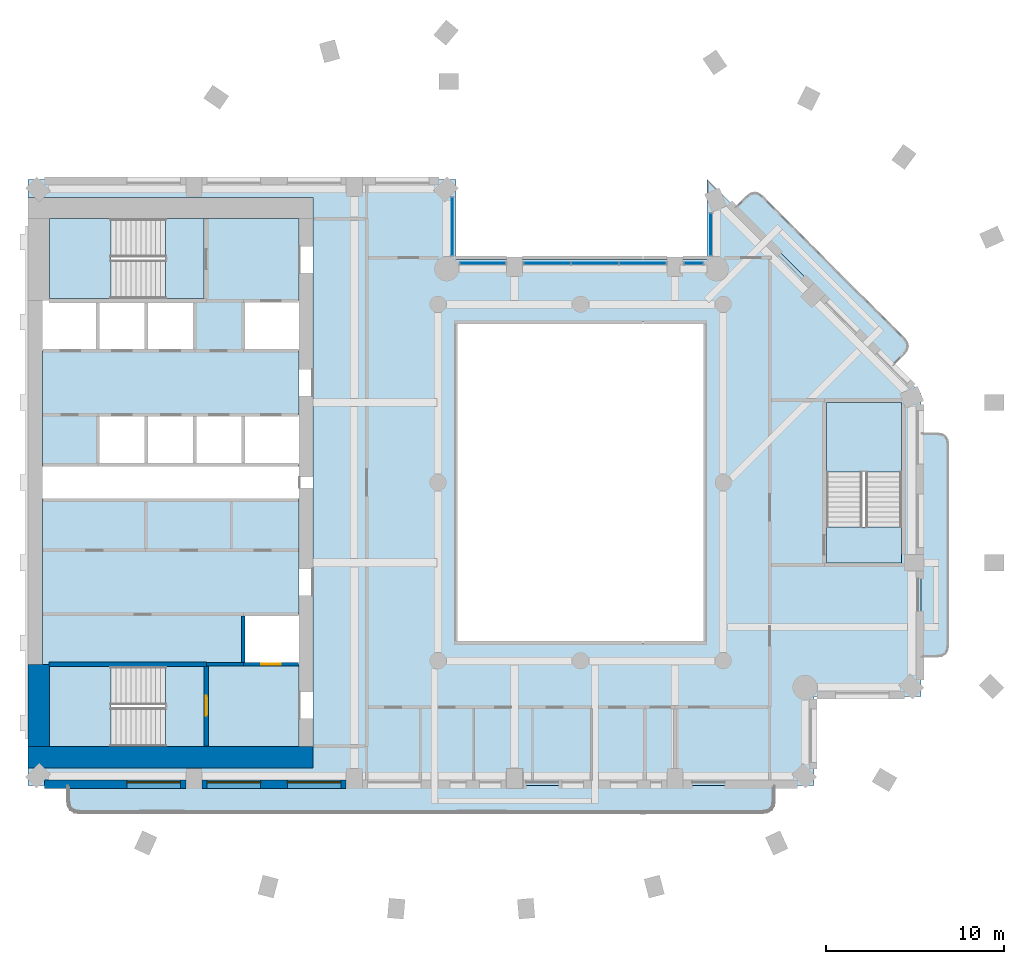
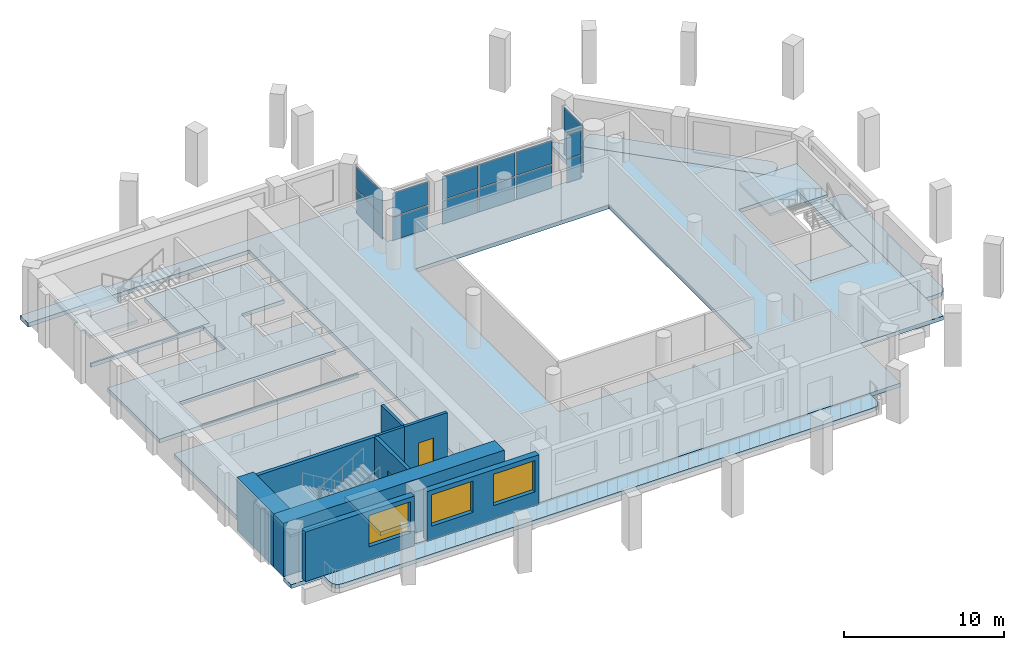
# One storey, part 3 of 14: 14 plates, 12 slabs, 9 walls, 3 windows, 2 doors, 5 openings, 8 elements without a shape of their own.
"""IFC4 building model written with IfcOpenShell, lengths in metres."""

from ifc_helpers import new_model, si_unit, direction, frame, frame_2d, origin, origin_2d, place, context, subcontext, project, spatial, polyline, rectangle, outline, extrude, material, layer, layer_set, type_object, element, fill, aggregate, save


model = new_model("IFC4")

# Units and contexts
model_context = context("Model", 3, precision=1e-05, world=origin(), true_north=direction((0.0, 1.0)))
body_context = subcontext(model_context, "Body", "Model", "MODEL_VIEW")
ifc_project = project(units=[si_unit("LENGTHUNIT", "METRE"), si_unit("AREAUNIT", "SQUARE_METRE"), si_unit("VOLUMEUNIT", "CUBIC_METRE"), si_unit("PLANEANGLEUNIT", "RADIAN"), si_unit("MASSUNIT", "GRAM", prefix="KILO")], contexts=[model_context])

# Site, building, storey
site_placement = place(None, origin())
site = spatial("IfcSite", under=ifc_project, at=site_placement, CompositionType="ELEMENT")
building_placement = place(site_placement, origin())
building = spatial("IfcBuilding", under=site, at=building_placement, Name="Cypress Arch Tower", CompositionType="ELEMENT")
storey_placement = place(building_placement, frame((0.0, 0.0, 201.5)))
storey = spatial("IfcBuildingStorey", under=building, at=storey_placement, Name="L44", CompositionType="ELEMENT", Elevation=201.5)

# Slabs
ifc_material_1 = material(Name="Concrete C40/50", Category="concrete")
ifc_layer_1 = layer(ifc_material_1, 0.300048828125)
ifc_layer_set_1 = layer_set([ifc_layer_1], Name="Balcony slab BS300")
slab_type_1 = type_object("IfcSlabType", Name="Balcony slab BS300", PredefinedType="USERDEFINED", material=ifc_layer_set_1)
slab_1_placement = place(storey_placement, frame((0.0, 0.0, -0.300048828125)))
element("IfcSlab", 1, at=slab_1_placement, inside=storey, type_object=slab_type_1, Name="Balcony slab L44-B01", ObjectType="BALCONY SLAB", PredefinedType="USERDEFINED", context=body_context, shape_type="SweptSolid", body=[
    extrude(outline(polyline([(-27.75, -17.0), (-27.75, -17.850341796875), (-27.708740234375, -18.138916015625), (-27.5849609375, -18.3447265625), (-27.378662109375, -18.468017578125), (-27.090087890625, -18.508544921875), (-26.283447265625, -18.506103515625), (-24.816650390625, -18.50244140625), (-23.35009765625, -18.500244140625), (-21.88330078125, -18.500244140625), (-20.416748046875, -18.501953125), (-18.949951171875, -18.505615234375), (-17.4833984375, -18.509765625), (-16.0166015625, -18.513427734375), (-14.550048828125, -18.515869140625), (-13.083251953125, -18.516357421875), (-11.61669921875, -18.5146484375), (-10.14990234375, -18.511474609375), (-8.683349609375, -18.50732421875), (-7.216552734375, -18.50341796875), (-5.75, -18.500732421875), (-4.283447265625, -18.5), (-2.816650390625, -18.50146484375), (-1.35009765625, -18.50439453125), (0.11669921875, -18.508544921875), (1.583251953125, -18.512451171875), (3.050048828125, -18.515380859375), (4.5166015625, -18.516357421875), (5.9833984375, -18.515380859375), (7.449951171875, -18.512451171875), (8.916748046875, -18.50830078125), (10.38330078125, -18.50439453125), (11.18994140625, -18.502685546875), (11.478759765625, -18.4609375), (11.68505859375, -18.336669921875), (11.808837890625, -18.130126953125), (11.85009765625, -17.84130859375), (11.85009765625, -17.0), (-27.75, -17.0)])), origin(), (0.0, 0.0, 1.0), 0.300048828125),
])
slab_2_placement = place(storey_placement, frame((0.0, 0.0, -0.300048828125)))
element("IfcSlab", 2, at=slab_2_placement, inside=storey, type_object=slab_type_1, Name="Balcony slab L44-B04", ObjectType="BALCONY SLAB", PredefinedType="USERDEFINED", context=body_context, shape_type="SweptSolid", body=[
    extrude(outline(polyline([(20.10009765625, -9.75), (20.9853515625, -9.75), (21.258544921875, -9.7109375), (21.45361328125, -9.59375), (21.5703125, -9.3984375), (21.608642578125, -9.125), (21.6064453125, -8.361083984375), (21.602783203125, -6.97216796875), (21.6005859375, -5.583251953125), (21.60009765625, -4.1943359375), (21.601318359375, -2.8056640625), (21.604248046875, -1.416748046875), (21.608154296875, -0.02783203125), (21.61181640625, 1.361083984375), (21.613525390625, 2.125), (21.5751953125, 2.3984375), (21.458251953125, 2.59375), (21.26318359375, 2.7109375), (20.989990234375, 2.75), (20.10009765625, 2.75), (20.10009765625, -9.75)])), origin(), (0.0, 0.0, 1.0), 0.300048828125),
])
slab_3_placement = place(storey_placement, frame((0.0, 0.0, -0.300048828125)))
element("IfcSlab", 3, at=slab_3_placement, inside=storey, type_object=slab_type_1, Name="Balcony slab L44-B05", ObjectType="BALCONY SLAB", PredefinedType="USERDEFINED", context=body_context, shape_type="SweptSolid", body=[
    extrude(outline(polyline([(18.509033203125, 6.591064453125), (19.135986328125, 7.218017578125), (19.30126953125, 7.4384765625), (19.356201171875, 7.65869140625), (19.30078125, 7.878662109375), (19.134765625, 8.0986328125), (18.594482421875, 8.635986328125), (17.612060546875, 9.61328125), (16.630859375, 10.59130859375), (15.650634765625, 11.57080078125), (14.671630859375, 12.551513671875), (13.694091796875, 13.533447265625), (12.716796875, 14.515869140625), (11.73974609375, 15.498291015625), (11.2021484375, 16.038330078125), (10.982177734375, 16.2041015625), (10.761962890625, 16.259521484375), (10.541748046875, 16.20458984375), (10.3212890625, 16.039306640625), (9.69091796875, 15.408935546875), (18.509033203125, 6.591064453125)])), origin(), (0.0, 0.0, 1.0), 0.300048828125),
])
ifc_material_2 = material(Name="Concrete C40/50", Category="concrete")
ifc_layer_2 = layer(ifc_material_2, 0.300048828125)
ifc_layer_set_2 = layer_set([ifc_layer_2], Name="Core floor CF300")
slab_type_2 = type_object("IfcSlabType", Name="Core floor CF300", PredefinedType="FLOOR", material=ifc_layer_set_2)
slab_4_placement = place(storey_placement, frame((0.0, 0.0, -0.300048828125)))
element("IfcSlab", 4, at=slab_4_placement, inside=storey, type_object=slab_type_2, Name="Core floor", PredefinedType="FLOOR", context=body_context, shape_type="SweptSolid", body=[
    extrude(outline(polyline([(-28.800048828125, -10.199951171875), (-29.199951171875, -10.199951171875), (-29.199951171875, -0.89990234375), (-15.199951171875, -0.89990234375), (-14.800048828125, -0.89990234375), (-14.800048828125, -7.39990234375), (-15.199951171875, -7.39990234375), (-17.919921875, -7.39990234375), (-17.919921875, -10.199951171875), (-15.199951171875, -10.199951171875), (-14.800048828125, -10.199951171875), (-14.800048828125, -14.800048828125), (-15.199951171875, -14.800048828125), (-20.125, -14.800048828125), (-20.125, -10.324951171875), (-22.27490234375, -10.324951171875), (-28.800048828125, -10.324951171875), (-28.800048828125, -10.199951171875)])), origin(), (0.0, 0.0, 1.0), 0.300048828125),
])
slab_5_placement = place(storey_placement, frame((0.0, 0.0, -0.300048828125)))
element("IfcSlab", 5, at=slab_5_placement, inside=storey, type_object=slab_type_2, Name="Core floor", PredefinedType="FLOOR", context=body_context, shape_type="SweptSolid", body=[
    extrude(outline(polyline([(-22.27490234375, -10.324951171875), (-22.27490234375, -14.800048828125), (-20.125, -14.800048828125), (-20.125, -10.324951171875), (-22.27490234375, -10.324951171875)])), origin(), (0.0, 0.0, 1.0), 0.300048828125),
])
slab_6_placement = place(storey_placement, frame((0.0, 0.0, -0.300048828125)))
element("IfcSlab", 6, at=slab_6_placement, inside=storey, type_object=slab_type_2, Name="Core floor", PredefinedType="FLOOR", context=body_context, shape_type="SweptSolid", body=[
    extrude(outline(polyline([(-20.125, 14.800048828125), (-22.27490234375, 14.800048828125), (-22.27490234375, 10.324951171875), (-20.125, 10.324951171875), (-20.125, 14.800048828125)])), origin(), (0.0, 0.0, 1.0), 0.300048828125),
])
slab_7_placement = place(storey_placement, frame((0.0, 0.0, -0.300048828125)))
element("IfcSlab", 7, at=slab_7_placement, inside=storey, type_object=slab_type_2, Name="Stair floor landing", PredefinedType="FLOOR", context=body_context, shape_type="SweptSolid", body=[
    extrude(outline(polyline([(19.0, -4.5), (19.0, -2.5), (14.800048828125, -2.5), (14.800048828125, -4.5), (19.0, -4.5)])), origin(), (0.0, 0.0, 1.0), 0.300048828125),
])
slab_8_placement = place(storey_placement, frame((0.0, 0.0, -0.300048828125)))
element("IfcSlab", 8, at=slab_8_placement, inside=storey, type_object=slab_type_2, Name="Core floor", PredefinedType="FLOOR", context=body_context, shape_type="SweptSolid", body=[
    extrude(outline(polyline([(-20.639892578125, 7.39990234375), (-20.639892578125, 10.199951171875), (-23.360107421875, 10.199951171875), (-26.080078125, 10.199951171875), (-28.800048828125, 10.199951171875), (-28.800048828125, 10.324951171875), (-22.27490234375, 10.324951171875), (-20.125, 10.324951171875), (-20.125, 14.800048828125), (-15.199951171875, 14.800048828125), (-14.800048828125, 14.800048828125), (-14.800048828125, 10.199951171875), (-15.199951171875, 10.199951171875), (-17.919921875, 10.199951171875), (-17.919921875, 7.39990234375), (-15.199951171875, 7.39990234375), (-14.800048828125, 7.39990234375), (-14.800048828125, 3.800048828125), (-15.199951171875, 3.800048828125), (-17.919921875, 3.800048828125), (-20.639892578125, 3.800048828125), (-23.360107421875, 3.800048828125), (-26.080078125, 3.800048828125), (-26.080078125, 1.5), (-26.080078125, 1.5), (-26.080078125, 1.0), (-25.679931640625, 1.0), (-23.360107421875, 1.0), (-20.639892578125, 1.0), (-17.919921875, 1.0), (-15.199951171875, 1.0), (-14.800048828125, 1.0), (-14.800048828125, 0.89990234375), (-15.199951171875, 0.89990234375), (-25.679931640625, 0.89990234375), (-26.47998046875, 0.89990234375), (-29.199951171875, 0.89990234375), (-29.199951171875, 1.5), (-29.199951171875, 7.39990234375), (-26.080078125, 7.39990234375), (-23.360107421875, 7.39990234375), (-20.639892578125, 7.39990234375)])), origin(), (0.0, 0.0, 1.0), 0.300048828125),
])

# Curtain wall, plates
ifc_material_3 = material(Name="Anodised aluminium, bronze finish, clear laminated double glazing", Category="aluminium")
curtain_wall_type = type_object("IfcCurtainWallType", Name="Curtain wall CW7 slot glazing", PredefinedType="NOTDEFINED", material=ifc_material_3)
curtain_wall_1_placement = place(storey_placement, origin())
curtain_wall_1 = element("IfcCurtainWall", 9, at=curtain_wall_1_placement, inside=storey, type_object=curtain_wall_type, Name="Curtain wall L44 slot B06.0", PredefinedType="NOTDEFINED")
ifc_material_4 = material(Name="Clear laminated double glazing", Category="glass")
ifc_layer_3 = layer(ifc_material_4, 0.0439453125)
ifc_layer_set_3 = layer_set([ifc_layer_3], Name="Glass panel CW7 44")
plate_type = type_object("IfcPlateType", Name="Glass panel CW7 44", PredefinedType="CURTAIN_PANEL", material=ifc_layer_set_3)
plate_1_placement = place(storey_placement, frame((8.300048828125, 13.912353515625, 0.0849609375), z_axis=(0.0, 0.0, 1.0), x_axis=(0.0, -1.0, 0.0)))
plate_1 = element("IfcPlate", 10, at=plate_1_placement, type_object=plate_type, Name="CW7 panel 1.1", PredefinedType="CURTAIN_PANEL", context=body_context, shape_type="SweptSolid", body=[
    extrude(rectangle(XDim=2.345458984375, YDim=0.0439453125, at=origin_2d()), origin(), (0.0, 0.0, 1.0), 1.7724609375),
])
plate_2_placement = place(storey_placement, frame((8.300048828125, 13.912353515625, 1.942626953125), z_axis=(0.0, 0.0, 1.0), x_axis=(0.0, -1.0, 0.0)))
plate_2 = element("IfcPlate", 11, at=plate_2_placement, type_object=plate_type, Name="CW7 panel 1.2", PredefinedType="CURTAIN_PANEL", context=body_context, shape_type="SweptSolid", body=[
    extrude(rectangle(XDim=2.345458984375, YDim=0.0439453125, at=origin_2d()), origin(), (0.0, 0.0, 1.0), 1.7724609375),
])
aggregate(curtain_wall_1, [plate_1, plate_2])

curtain_wall_2_placement = place(storey_placement, origin())
curtain_wall_2 = element("IfcCurtainWall", 12, at=curtain_wall_2_placement, inside=storey, type_object=curtain_wall_type, Name="Curtain wall L44 slot B07.0", PredefinedType="NOTDEFINED")
plate_3_placement = place(storey_placement, frame((7.34765625, 12.300048828125, 0.0849609375), z_axis=(0.0, 0.0, 1.0), x_axis=(-1.0, 0.0, 0.0)))
plate_3 = element("IfcPlate", 13, at=plate_3_placement, type_object=plate_type, Name="CW7 panel 1.1", PredefinedType="CURTAIN_PANEL", context=body_context, shape_type="SweptSolid", body=[
    extrude(rectangle(XDim=1.025390625, YDim=0.0439453125, at=origin_2d()), origin(), (0.0, 0.0, 1.0), 1.7724609375),
])
plate_4_placement = place(storey_placement, frame((7.34765625, 12.300048828125, 1.942626953125), z_axis=(0.0, 0.0, 1.0), x_axis=(-1.0, 0.0, 0.0)))
plate_4 = element("IfcPlate", 14, at=plate_4_placement, type_object=plate_type, Name="CW7 panel 1.2", PredefinedType="CURTAIN_PANEL", context=body_context, shape_type="SweptSolid", body=[
    extrude(rectangle(XDim=1.025390625, YDim=0.0439453125, at=origin_2d()), origin(), (0.0, 0.0, 1.0), 1.7724609375),
])
aggregate(curtain_wall_2, [plate_3, plate_4])

curtain_wall_3_placement = place(storey_placement, origin())
curtain_wall_3 = element("IfcCurtainWall", 15, at=curtain_wall_3_placement, inside=storey, type_object=curtain_wall_type, Name="Curtain wall L44 slot B07.1", PredefinedType="NOTDEFINED")
plate_5_placement = place(storey_placement, frame((4.478759765625, 12.300048828125, 0.0849609375), z_axis=(0.0, 0.0, 1.0), x_axis=(-1.0, 0.0, 0.0)))
plate_5 = element("IfcPlate", 16, at=plate_5_placement, type_object=plate_type, Name="CW7 panel 1.1", PredefinedType="CURTAIN_PANEL", context=body_context, shape_type="SweptSolid", body=[
    extrude(rectangle(XDim=2.572509765625, YDim=0.0439453125, at=origin_2d()), origin(), (0.0, 0.0, 1.0), 1.7724609375),
])
plate_6_placement = place(storey_placement, frame((4.478759765625, 12.300048828125, 1.942626953125), z_axis=(0.0, 0.0, 1.0), x_axis=(-1.0, 0.0, 0.0)))
plate_6 = element("IfcPlate", 17, at=plate_6_placement, type_object=plate_type, Name="CW7 panel 1.2", PredefinedType="CURTAIN_PANEL", context=body_context, shape_type="SweptSolid", body=[
    extrude(rectangle(XDim=2.572509765625, YDim=0.0439453125, at=origin_2d()), origin(), (0.0, 0.0, 1.0), 1.7724609375),
])
plate_7_placement = place(storey_placement, frame((1.800048828125, 12.300048828125, 0.0849609375), z_axis=(0.0, 0.0, 1.0), x_axis=(-1.0, 0.0, 0.0)))
plate_7 = element("IfcPlate", 18, at=plate_7_placement, type_object=plate_type, Name="CW7 panel 2.1", PredefinedType="CURTAIN_PANEL", context=body_context, shape_type="SweptSolid", body=[
    extrude(rectangle(XDim=2.614990234375, YDim=0.0439453125, at=origin_2d()), origin(), (0.0, 0.0, 1.0), 1.7724609375),
])
plate_8_placement = place(storey_placement, frame((1.800048828125, 12.300048828125, 1.942626953125), z_axis=(0.0, 0.0, 1.0), x_axis=(-1.0, 0.0, 0.0)))
plate_8 = element("IfcPlate", 19, at=plate_8_placement, type_object=plate_type, Name="CW7 panel 2.2", PredefinedType="CURTAIN_PANEL", context=body_context, shape_type="SweptSolid", body=[
    extrude(rectangle(XDim=2.614990234375, YDim=0.0439453125, at=origin_2d()), origin(), (0.0, 0.0, 1.0), 1.7724609375),
])
plate_9_placement = place(storey_placement, frame((-0.878662109375, 12.300048828125, 0.0849609375), z_axis=(0.0, 0.0, 1.0), x_axis=(-1.0, 0.0, 0.0)))
plate_9 = element("IfcPlate", 20, at=plate_9_placement, type_object=plate_type, Name="CW7 panel 3.1", PredefinedType="CURTAIN_PANEL", context=body_context, shape_type="SweptSolid", body=[
    extrude(rectangle(XDim=2.572509765625, YDim=0.0439453125, at=origin_2d()), origin(), (0.0, 0.0, 1.0), 1.7724609375),
])
plate_10_placement = place(storey_placement, frame((-0.878662109375, 12.300048828125, 1.942626953125), z_axis=(0.0, 0.0, 1.0), x_axis=(-1.0, 0.0, 0.0)))
plate_10 = element("IfcPlate", 21, at=plate_10_placement, type_object=plate_type, Name="CW7 panel 3.2", PredefinedType="CURTAIN_PANEL", context=body_context, shape_type="SweptSolid", body=[
    extrude(rectangle(XDim=2.572509765625, YDim=0.0439453125, at=origin_2d()), origin(), (0.0, 0.0, 1.0), 1.7724609375),
])
aggregate(curtain_wall_3, [plate_5, plate_6, plate_7, plate_8, plate_9, plate_10])

curtain_wall_4_placement = place(storey_placement, origin())
curtain_wall_4 = element("IfcCurtainWall", 22, at=curtain_wall_4_placement, inside=storey, type_object=curtain_wall_type, Name="Curtain wall L44 slot B07.2", PredefinedType="NOTDEFINED")
plate_11_placement = place(storey_placement, frame((-4.497802734375, 12.300048828125, 0.0849609375), z_axis=(0.0, 0.0, 1.0), x_axis=(-1.0, 0.0, 0.0)))
plate_11 = element("IfcPlate", 23, at=plate_11_placement, type_object=plate_type, Name="CW7 panel 1.1", PredefinedType="CURTAIN_PANEL", context=body_context, shape_type="SweptSolid", body=[
    extrude(rectangle(XDim=2.525390625, YDim=0.0439453125, at=origin_2d()), origin(), (0.0, 0.0, 1.0), 1.7724609375),
])
plate_12_placement = place(storey_placement, frame((-4.497802734375, 12.300048828125, 1.942626953125), z_axis=(0.0, 0.0, 1.0), x_axis=(-1.0, 0.0, 0.0)))
plate_12 = element("IfcPlate", 24, at=plate_12_placement, type_object=plate_type, Name="CW7 panel 1.2", PredefinedType="CURTAIN_PANEL", context=body_context, shape_type="SweptSolid", body=[
    extrude(rectangle(XDim=2.525390625, YDim=0.0439453125, at=origin_2d()), origin(), (0.0, 0.0, 1.0), 1.7724609375),
])
aggregate(curtain_wall_4, [plate_11, plate_12])

curtain_wall_5_placement = place(storey_placement, origin())
curtain_wall_5 = element("IfcCurtainWall", 25, at=curtain_wall_5_placement, inside=storey, type_object=curtain_wall_type, Name="Curtain wall L44 slot B08.0", PredefinedType="NOTDEFINED")
plate_13_placement = place(storey_placement, frame((-6.199951171875, 14.359130859375, 0.0849609375), z_axis=(0.0, 0.0, 1.0), x_axis=(0.0, 1.0, 0.0)))
plate_13 = element("IfcPlate", 26, at=plate_13_placement, type_object=plate_type, Name="CW7 panel 1.1", PredefinedType="CURTAIN_PANEL", context=body_context, shape_type="SweptSolid", body=[
    extrude(rectangle(XDim=3.239013671875, YDim=0.0439453125, at=origin_2d()), origin(), (0.0, 0.0, 1.0), 1.7724609375),
])
plate_14_placement = place(storey_placement, frame((-6.199951171875, 14.359130859375, 1.942626953125), z_axis=(0.0, 0.0, 1.0), x_axis=(0.0, 1.0, 0.0)))
plate_14 = element("IfcPlate", 27, at=plate_14_placement, type_object=plate_type, Name="CW7 panel 1.2", PredefinedType="CURTAIN_PANEL", context=body_context, shape_type="SweptSolid", body=[
    extrude(rectangle(XDim=3.239013671875, YDim=0.0439453125, at=origin_2d()), origin(), (0.0, 0.0, 1.0), 1.7724609375),
])
aggregate(curtain_wall_5, [plate_13, plate_14])

# Slab
ifc_material_5 = material(Name="Concrete C40/50", Category="concrete")
ifc_layer_4 = layer(ifc_material_5, 0.300048828125)
ifc_layer_set_4 = layer_set([ifc_layer_4], Name="PT flat slab 300 Concrete C40/50")
slab_type_3 = type_object("IfcSlabType", Name="PT flat slab 300 Concrete C40/50", PredefinedType="FLOOR", material=ifc_layer_set_4)
slab_9_placement = place(storey_placement, frame((0.0, 0.0, -0.300048828125)))
element("IfcSlab", 28, at=slab_9_placement, inside=storey, type_object=slab_type_3, Name="Floor slab L44", PredefinedType="FLOOR", context=body_context, shape_type="SweptSolid", body=[
    extrude(outline(polyline([(-30.0, 17.0), (-6.0, 17.0), (-6.0, 12.5), (8.10009765625, 12.5), (8.10009765625, 17.0), (20.10009765625, 5.0), (20.10009765625, -12.0), (14.10009765625, -12.0), (14.10009765625, -17.0), (-30.0, -17.0), (-30.0, -16.0), (-14.0, -16.0), (-14.0, 16.0), (-30.0, 16.0), (-30.0, 17.0)]), holes=[polyline([(-6.0, -9.0), (8.0, -9.0), (8.0, 9.0), (-6.0, 9.0), (-6.0, -9.0)]), polyline([(14.800048828125, -4.5), (19.0, -4.5), (19.0, 4.5), (14.800048828125, 4.5), (14.800048828125, -4.5)])]), origin(), (0.0, 0.0, 1.0), 0.300048828125),
])

# Stair, slab
ifc_material_6 = material(Name="Concrete C40/50", Category="concrete")
stair_type_1 = type_object("IfcStairType", Name="Exit stair ES1708-215", PredefinedType="HALF_TURN_STAIR", material=ifc_material_6)
stair_1_placement = place(storey_placement, origin())
stair_1 = element("IfcStair", 29, at=stair_1_placement, inside=storey, type_object=stair_type_1, Name="L44 Exit stair A", PredefinedType="HALF_TURN_STAIR")
ifc_material_7 = material(Name="Concrete C40/50", Category="concrete")
ifc_layer_5 = layer(ifc_material_7, 0.199951171875)
ifc_layer_set_5 = layer_set([ifc_layer_5], Name="Stair landing SL200")
slab_type_4 = type_object("IfcSlabType", Name="Stair landing SL200", PredefinedType="LANDING", material=ifc_layer_set_5)
slab_10_placement = place(storey_placement, frame((0.0, 0.0, 1.85009765625)))
slab_10 = element("IfcSlab", 30, at=slab_10_placement, type_object=slab_type_4, Name="A landing 1", PredefinedType="LANDING", context=body_context, shape_type="SweptSolid", body=[
    extrude(outline(polyline([(-25.35498046875, -10.324951171875), (-28.800048828125, -10.324951171875), (-28.800048828125, -14.800048828125), (-25.35498046875, -14.800048828125), (-25.35498046875, -10.324951171875)])), origin(), (0.0, 0.0, 1.0), 0.199951171875),
])
aggregate(stair_1, [slab_10])

stair_2_placement = place(storey_placement, origin())
stair_2 = element("IfcStair", 31, at=stair_2_placement, inside=storey, type_object=stair_type_1, Name="L44 Exit stair B", PredefinedType="HALF_TURN_STAIR")
slab_11_placement = place(storey_placement, frame((0.0, 0.0, 1.85009765625)))
slab_11 = element("IfcSlab", 32, at=slab_11_placement, type_object=slab_type_4, Name="B landing 1", PredefinedType="LANDING", context=body_context, shape_type="SweptSolid", body=[
    extrude(outline(polyline([(-25.35498046875, 14.800048828125), (-28.800048828125, 14.800048828125), (-28.800048828125, 10.324951171875), (-25.35498046875, 10.324951171875), (-25.35498046875, 14.800048828125)])), origin(), (0.0, 0.0, 1.0), 0.199951171875),
])
aggregate(stair_2, [slab_11])

ifc_material_8 = material(Name="Concrete C40/50", Category="concrete")
stair_type_2 = type_object("IfcStairType", Name="Exit stair ES1708-200", PredefinedType="HALF_TURN_STAIR", material=ifc_material_8)
stair_3_placement = place(storey_placement, origin())
stair_3 = element("IfcStair", 33, at=stair_3_placement, inside=storey, type_object=stair_type_2, Name="L44 Exit stair C", PredefinedType="HALF_TURN_STAIR")
slab_12_placement = place(storey_placement, frame((0.0, 0.0, 1.85009765625)))
slab_12 = element("IfcSlab", 34, at=slab_12_placement, type_object=slab_type_4, Name="C landing 1", PredefinedType="LANDING", context=body_context, shape_type="SweptSolid", body=[
    extrude(outline(polyline([(19.0, 0.580078125), (19.0, 4.5), (14.800048828125, 4.5), (14.800048828125, 0.580078125), (19.0, 0.580078125)])), origin(), (0.0, 0.0, 1.0), 0.199951171875),
])
aggregate(stair_3, [slab_12])

# Wall, opening, window
ifc_material_9 = material(Name="Brick (red buff blend)", Category="masonry")
ifc_layer_6 = layer(ifc_material_9, 0.449951171875)
ifc_layer_set_6 = layer_set([ifc_layer_6], Name="Brick pier and spandrel wall BW450")
wall_type_1 = type_object("IfcWallType", Name="Brick pier and spandrel wall BW450", PredefinedType="SOLIDWALL", material=ifc_layer_set_6)
wall_1_placement = place(storey_placement, frame((-29.063720703125, -16.925048828125, 0.0), z_axis=(0.0, 0.0, 1.0), x_axis=(1.0, 0.0, 0.0)))
wall_1 = element("IfcWall", 35, at=wall_1_placement, inside=storey, type_object=wall_type_1, Name="Brick wall L44 B01.0", PredefinedType="SOLIDWALL", context=body_context, shape_type="SweptSolid", body=[
    extrude(rectangle(XDim=7.913818359375, YDim=0.449951171875, at=frame_2d((3.95703125, 0.0))), origin(), (0.0, 0.0, 1.0), 3.800048828125),
])
opening_1_placement = place(wall_1_placement, frame((4.613525390625, 0.0, 1.050048828125)))
opening_1 = element("IfcOpeningElement", 36, at=opening_1_placement, cuts=wall_1, Name="Opening W300OD", PredefinedType="OPENING", context=body_context, shape_type="SweptSolid", body=[
    extrude(rectangle(XDim=3.0, YDim=2.39990234375, at=frame_2d((1.5, 1.199951171875))), frame((0.0, 0.23486328125, 0.0), z_axis=(0.0, -1.0, 0.0), x_axis=(1.0, 0.0, 0.0)), (0.0, 0.0, 1.0), 0.469970703125),
])
ifc_material_10 = material(Name="Anodised aluminium, bronze finish, laminated low-emissivity double glazing, large-missile impact rated", Category="aluminium")
window_type = type_object("IfcWindowType", Name="Window Office 3000x2400 debris-rated", PartitioningType="SINGLE_PANEL", PredefinedType="WINDOW", material=ifc_material_10)
window_1_placement = place(opening_1_placement, origin())
window_1 = element("IfcWindow", 37, at=window_1_placement, inside=storey, type_object=window_type, Name="Window L44 B01.0.2", OverallHeight=2.39990234375, OverallWidth=3.0, PartitioningType="SINGLE_PANEL", PredefinedType="WINDOW", context=body_context, shape_type="SweptSolid", body=[
    extrude(rectangle(XDim=3.0, YDim=2.39990234375, at=frame_2d((1.5, 1.199951171875))), frame((0.0, 0.135009765625, 0.0), z_axis=(0.0, -1.0, 0.0), x_axis=(1.0, 0.0, 0.0)), (0.0, 0.0, 1.0), 0.06005859375),
])
fill(opening_1, window_1)

# Wall, openings, windows
wall_2_placement = place(storey_placement, frame((-20.25, -16.925048828125, 0.0), z_axis=(0.0, 0.0, 1.0), x_axis=(1.0, 0.0, 0.0)))
wall_2 = element("IfcWall", 38, at=wall_2_placement, inside=storey, type_object=wall_type_1, Name="Brick wall L44 B01.1", PredefinedType="SOLIDWALL", context=body_context, shape_type="SweptSolid", body=[
    extrude(rectangle(XDim=8.10009765625, YDim=0.449951171875, at=frame_2d((4.050048828125, 0.0))), origin(), (0.0, 0.0, 1.0), 3.800048828125),
])
opening_2_placement = place(wall_2_placement, frame((0.300048828125, 0.0, 1.050048828125)))
opening_2 = element("IfcOpeningElement", 39, at=opening_2_placement, cuts=wall_2, Name="Opening W300OD", PredefinedType="OPENING", context=body_context, shape_type="SweptSolid", body=[
    extrude(rectangle(XDim=3.0, YDim=2.39990234375, at=frame_2d((1.5, 1.199951171875))), frame((0.0, 0.23486328125, 0.0), z_axis=(0.0, -1.0, 0.0), x_axis=(1.0, 0.0, 0.0)), (0.0, 0.0, 1.0), 0.469970703125),
])
opening_3_placement = place(wall_2_placement, frame((4.800048828125, 0.0, 1.050048828125)))
opening_3 = element("IfcOpeningElement", 40, at=opening_3_placement, cuts=wall_2, Name="Opening W300OD", PredefinedType="OPENING", context=body_context, shape_type="SweptSolid", body=[
    extrude(rectangle(XDim=3.0, YDim=2.39990234375, at=frame_2d((1.5, 1.199951171875))), frame((0.0, 0.23486328125, 0.0), z_axis=(0.0, -1.0, 0.0), x_axis=(1.0, 0.0, 0.0)), (0.0, 0.0, 1.0), 0.469970703125),
])
window_2_placement = place(opening_2_placement, origin())
window_2 = element("IfcWindow", 41, at=window_2_placement, inside=storey, type_object=window_type, Name="Window L44 B01.1.1", OverallHeight=2.39990234375, OverallWidth=3.0, PartitioningType="SINGLE_PANEL", PredefinedType="WINDOW", context=body_context, shape_type="SweptSolid", body=[
    extrude(rectangle(XDim=3.0, YDim=2.39990234375, at=frame_2d((1.5, 1.199951171875))), frame((0.0, 0.135009765625, 0.0), z_axis=(0.0, -1.0, 0.0), x_axis=(1.0, 0.0, 0.0)), (0.0, 0.0, 1.0), 0.06005859375),
])
fill(opening_2, window_2)
window_3_placement = place(opening_3_placement, origin())
window_3 = element("IfcWindow", 42, at=window_3_placement, inside=storey, type_object=window_type, Name="Window L44 B01.1.2", OverallHeight=2.39990234375, OverallWidth=3.0, PartitioningType="SINGLE_PANEL", PredefinedType="WINDOW", context=body_context, shape_type="SweptSolid", body=[
    extrude(rectangle(XDim=3.0, YDim=2.39990234375, at=frame_2d((1.5, 1.199951171875))), frame((0.0, 0.135009765625, 0.0), z_axis=(0.0, -1.0, 0.0), x_axis=(1.0, 0.0, 0.0)), (0.0, 0.0, 1.0), 0.06005859375),
])
fill(opening_3, window_3)

# Walls
ifc_material_11 = material(Name="Concrete C70/85", Category="concrete")
ifc_layer_7 = layer(ifc_material_11, 1.199951171875)
ifc_layer_set_7 = layer_set([ifc_layer_7], Name="Core wall CW1200 C70/85")
wall_type_2 = type_object("IfcWallType", Name="Core wall CW1200 C70/85", PredefinedType="SHEAR", material=ifc_layer_set_7)
wall_3_placement = place(storey_placement, frame((-30.0, -15.39990234375, 0.0), z_axis=(0.0, 0.0, 1.0), x_axis=(1.0, 0.0, 0.0)))
element("IfcWall", 43, at=wall_3_placement, inside=storey, type_object=wall_type_2, Name="Core wall", PredefinedType="SHEAR", context=body_context, shape_type="SweptSolid", body=[
    extrude(rectangle(XDim=16.0, YDim=1.199951171875, at=frame_2d((8.0, 0.0))), origin(), (0.0, 0.0, 1.0), 4.10009765625),
])
wall_4_placement = place(storey_placement, frame((-29.39990234375, -14.800048828125, 0.0), z_axis=(0.0, 0.0, 1.0), x_axis=(0.0, 1.0, 0.0)))
element("IfcWall", 44, at=wall_4_placement, inside=storey, type_object=wall_type_2, Name="Core wall", PredefinedType="SHEAR", context=body_context, shape_type="SweptSolid", body=[
    extrude(rectangle(XDim=4.60009765625, YDim=1.199951171875, at=frame_2d((2.300048828125, 0.0))), origin(), (0.0, 0.0, 1.0), 4.10009765625),
])
ifc_material_12 = material(Name="Reinforced blockwork, plastered, rated", Category="masonry")
ifc_layer_8 = layer(ifc_material_12, 0.199951171875)
ifc_layer_set_8 = layer_set([ifc_layer_8], Name="Plant and riser wall PL200")
wall_type_3 = type_object("IfcWallType", Name="Plant and riser wall PL200", PredefinedType="PARTITIONING", material=ifc_layer_set_8)
wall_5_placement = place(storey_placement, frame((-20.0, -10.199951171875, 0.0), z_axis=(0.0, 0.0, 1.0), x_axis=(1.0, 0.0, 0.0)))
element("IfcWall", 45, at=wall_5_placement, inside=storey, type_object=wall_type_3, Name="Plant and riser wall", PredefinedType="PARTITIONING", context=body_context, shape_type="SweptSolid", body=[
    extrude(rectangle(XDim=2.080078125, YDim=0.199951171875, at=frame_2d((1.0400390625, 0.0))), origin(), (0.0, 0.0, 1.0), 3.800048828125),
])
ifc_material_13 = material(Name="Concrete C50/60", Category="concrete")
ifc_layer_9 = layer(ifc_material_13, 0.199951171875)
ifc_layer_set_9 = layer_set([ifc_layer_9], Name="Shaft wall SH200")
wall_type_4 = type_object("IfcWallType", Name="Shaft wall SH200", PredefinedType="SHEAR", material=ifc_layer_set_9)
wall_6_placement = place(storey_placement, frame((-17.919921875, -10.10009765625, 0.0), z_axis=(0.0, 0.0, 1.0), x_axis=(0.0, 1.0, 0.0)))
element("IfcWall", 46, at=wall_6_placement, inside=storey, type_object=wall_type_4, Name="Shaft wall", PredefinedType="SHEAR", context=body_context, shape_type="SweptSolid", body=[
    extrude(rectangle(XDim=2.60009765625, YDim=0.199951171875, at=frame_2d((1.300048828125, 0.0))), origin(), (0.0, 0.0, 1.0), 3.800048828125),
])

# Wall, opening, door
wall_7_placement = place(storey_placement, frame((-17.919921875, -10.199951171875, 0.0), z_axis=(0.0, 0.0, 1.0), x_axis=(1.0, 0.0, 0.0)))
wall_7 = element("IfcWall", 47, at=wall_7_placement, inside=storey, type_object=wall_type_4, Name="Shaft wall", PredefinedType="SHEAR", context=body_context, shape_type="SweptSolid", body=[
    extrude(rectangle(XDim=3.08984375, YDim=0.199951171875, at=frame_2d((1.544921875, 0.0))), origin(), (0.0, 0.0, 1.0), 3.800048828125),
])
opening_4_placement = place(wall_7_placement, frame((1.0, 0.0, 0.0)))
opening_4 = element("IfcOpeningElement", 48, at=opening_4_placement, cuts=wall_7, Name="Opening LD-FL1", PredefinedType="OPENING", context=body_context, shape_type="SweptSolid", body=[
    extrude(rectangle(XDim=1.10009765625, YDim=2.199951171875, at=frame_2d((0.550048828125, 1.10009765625))), frame((0.0, 0.10986328125, 0.0), z_axis=(0.0, -1.0, 0.0), x_axis=(1.0, 0.0, 0.0)), (0.0, 0.0, 1.0), 0.219970703125),
])
ifc_material_14 = material(Name="Stainless steel centre-opening landing door, rated", Category="steel")
door_type_1 = type_object("IfcDoorType", Name="Lift landing door LD 1100x2200", OperationType="DOUBLE_DOOR_SLIDING", PredefinedType="DOOR", material=ifc_material_14)
door_1_placement = place(opening_4_placement, origin())
door_1 = element("IfcDoor", 49, at=door_1_placement, inside=storey, type_object=door_type_1, Name="Lift landing doors FL1", OperationType="DOUBLE_DOOR_SLIDING", OverallHeight=2.199951171875, OverallWidth=1.10009765625, PredefinedType="DOOR", context=body_context, shape_type="SweptSolid", body=[
    extrude(rectangle(XDim=1.10009765625, YDim=2.199951171875, at=frame_2d((0.550048828125, 1.10009765625))), frame((0.0, 0.02490234375, 0.0), z_axis=(0.0, -1.0, 0.0), x_axis=(1.0, 0.0, 0.0)), (0.0, 0.0, 1.0), 0.050048828125),
])
fill(opening_4, door_1)

# Wall
ifc_material_15 = material(Name="Concrete C50/60", Category="concrete")
ifc_layer_10 = layer(ifc_material_15, 0.25)
ifc_layer_set_10 = layer_set([ifc_layer_10], Name="Stair enclosure wall SW250")
wall_type_5 = type_object("IfcWallType", Name="Stair enclosure wall SW250", PredefinedType="SHEAR", material=ifc_layer_set_10)
wall_8_placement = place(storey_placement, frame((-28.81005859375, -10.199951171875, 0.0), z_axis=(0.0, 0.0, 1.0), x_axis=(1.0, 0.0, 0.0)))
element("IfcWall", 50, at=wall_8_placement, inside=storey, type_object=wall_type_5, Name="Stair enclosure wall", PredefinedType="SHEAR", context=body_context, shape_type="SweptSolid", body=[
    extrude(rectangle(XDim=8.81005859375, YDim=0.25, at=frame_2d((4.405029296875, 0.0))), origin(), (0.0, 0.0, 1.0), 3.800048828125),
])

# Wall, opening, door
wall_9_placement = place(storey_placement, frame((-20.0, -14.77001953125, 0.0), z_axis=(0.0, 0.0, 1.0), x_axis=(0.0, 1.0, 0.0)))
wall_9 = element("IfcWall", 51, at=wall_9_placement, inside=storey, type_object=wall_type_5, Name="Stair enclosure wall", PredefinedType="SHEAR", context=body_context, shape_type="SweptSolid", body=[
    extrude(rectangle(XDim=4.445068359375, YDim=0.25, at=frame_2d((2.22265625, 0.0))), origin(), (0.0, 0.0, 1.0), 3.800048828125),
])
opening_5_placement = place(wall_9_placement, frame((1.699951171875, 0.0, 0.0)))
opening_5 = element("IfcOpeningElement", 52, at=opening_5_placement, cuts=wall_9, Name="Opening D06", PredefinedType="OPENING", context=body_context, shape_type="SweptSolid", body=[
    extrude(rectangle(XDim=1.10009765625, YDim=2.199951171875, at=frame_2d((0.550048828125, 1.10009765625))), frame((0.0, 0.135009765625, 0.0), z_axis=(0.0, -1.0, 0.0), x_axis=(1.0, 0.0, 0.0)), (0.0, 0.0, 1.0), 0.27001953125),
])
ifc_material_16 = material(Name="Steel door, fire resisting, panic bar", Category="steel")
door_type_2 = type_object("IfcDoorType", Name="Stair door D06 1100x2200", OperationType="SINGLE_SWING_LEFT", PredefinedType="DOOR", material=ifc_material_16)
door_2_placement = place(opening_5_placement, origin())
door_2 = element("IfcDoor", 53, at=door_2_placement, inside=storey, type_object=door_type_2, Name="Stair door", OperationType="SINGLE_SWING_RIGHT", OverallHeight=2.199951171875, OverallWidth=1.10009765625, PredefinedType="DOOR", context=body_context, shape_type="SweptSolid", body=[
    extrude(rectangle(XDim=1.10009765625, YDim=2.199951171875, at=frame_2d((0.550048828125, 1.10009765625))), frame((0.0, 0.02490234375, 0.0), z_axis=(0.0, -1.0, 0.0), x_axis=(1.0, 0.0, 0.0)), (0.0, 0.0, 1.0), 0.050048828125),
])
fill(opening_5, door_2)

save(model, "model.ifc")
